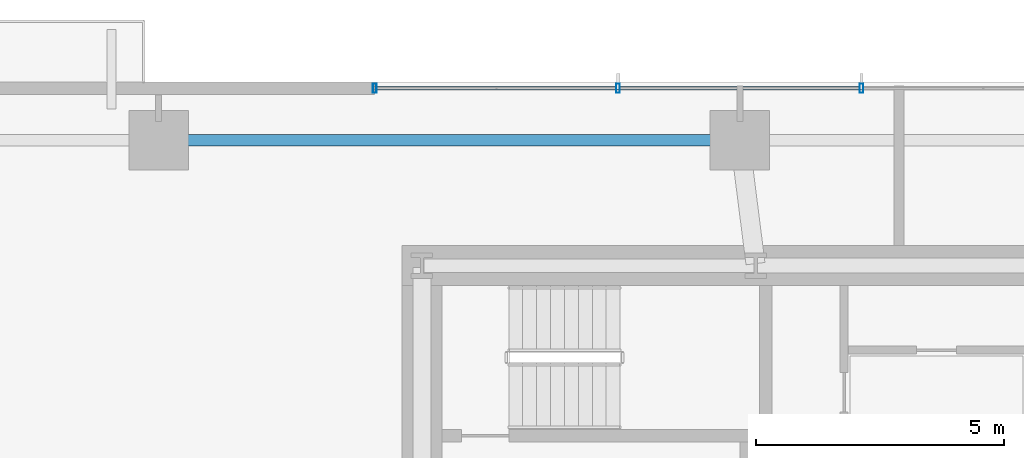
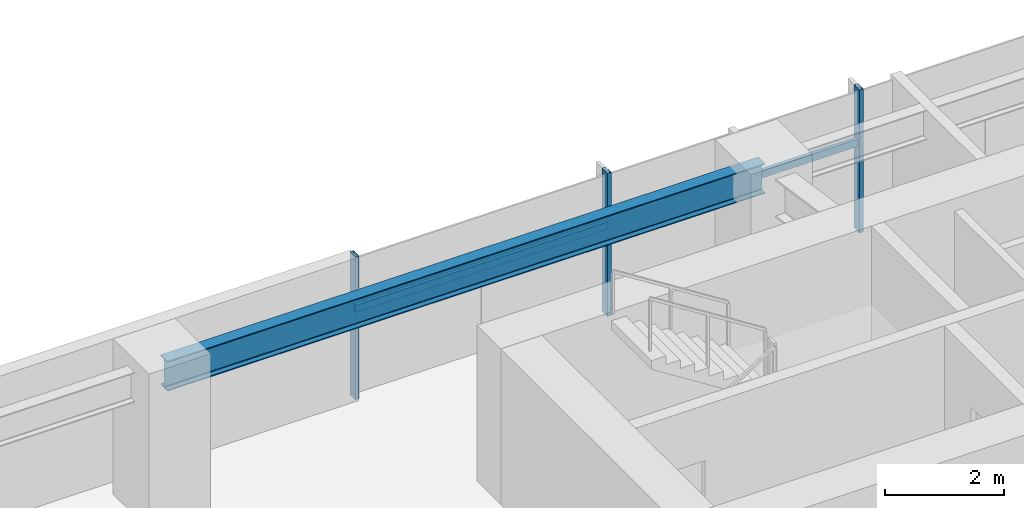
# One storey, part 10 of 25: 5 members, 1 beam, 1 element without a shape of its own.
"""IFC4 building model written with IfcOpenShell, lengths in metres."""

from ifc_helpers import new_model, si_unit, direction, frame, origin, origin_2d, place, context, subcontext, project, spatial, hollow_rectangle, i_section, extrude, source, transform, mapped, material, material_profile, profile_set, type_object, type_shapes, element, aggregate, save


model = new_model("IFC4")

# Units and contexts
model_context = context("Model", 3, precision=1e-05, world=origin(), true_north=direction((0.0, 1.0)))
body_context = subcontext(model_context, "Body", "Model", "MODEL_VIEW")
ifc_project = project(units=[si_unit("LENGTHUNIT", "METRE"), si_unit("AREAUNIT", "SQUARE_METRE"), si_unit("VOLUMEUNIT", "CUBIC_METRE"), si_unit("PLANEANGLEUNIT", "RADIAN"), si_unit("MASSUNIT", "GRAM", prefix="KILO")], contexts=[model_context])

# Site, building, storey
site_placement = place(None, origin())
site = spatial("IfcSite", under=ifc_project, at=site_placement, CompositionType="ELEMENT")
building_placement = place(site_placement, origin())
building = spatial("IfcBuilding", under=site, at=building_placement, Name="Astriad Promenade Condominiums", CompositionType="ELEMENT")
storey_placement = place(building_placement, frame((0.0, 0.0, 61.39990234375)))
storey = spatial("IfcBuildingStorey", under=building, at=storey_placement, Name="L17", CompositionType="ELEMENT", Elevation=61.39990234375)

# Beam
ifc_material_1 = material(Name="Steel ASTM A992 Grade 50", Category="steel")
ifc_material_profile_1 = material_profile(ifc_material_1, i_section(OverallWidth=0.22900390625, OverallDepth=0.612060546875, WebThickness=0.011962890625, FlangeThickness=0.01953125, FilletRadius=0.017822265625, at=origin_2d()), Name="W24X84")
ifc_profile_set_1 = profile_set([ifc_material_profile_1], Name="Steel ASTM A992 Grade 50")
beam_type = type_object("IfcBeamType", Name="STEEL SPANDREL BEAM W24X84", PredefinedType="SPANDREL", material=ifc_profile_set_1)
shared_shape_1 = source(origin(), body_context, "Body", "SweptSolid", [
    extrude(i_section(OverallWidth=0.22900390625, OverallDepth=0.612060546875, WebThickness=0.011962890625, FlangeThickness=0.01953125, FilletRadius=0.017822265625, at=origin_2d()), origin(), (0.0, 0.0, 1.0), 11.6201171875),
])
type_shapes(beam_type, [shared_shape_1])
beam_placement = place(storey_placement, frame((32.760009765625, 26.52001953125, 2.634033203125), z_axis=(-1.0, 0.0, 0.0), x_axis=(0.0, -1.0, 0.0)))
element("IfcBeam", 1, at=beam_placement, inside=storey, type_object=beam_type, Name="Perimeter Spandrel Beam SP-N2-L17", PredefinedType="SPANDREL", context=body_context, shape_type="MappedRepresentation", body=[
    mapped(shared_shape_1, transform((0.0, 0.0, 0.0), scale=1.0)),
])

# Curtain wall, members
ifc_material_2 = material(Name="Anodised aluminium Black Dark Glass Unitised", Category="aluminium")
curtain_wall_type = type_object("IfcCurtainWallType", Name="CW-B1-DARK", PredefinedType="USERDEFINED", material=ifc_material_2)
curtain_wall_placement = place(storey_placement, origin())
curtain_wall = element("IfcCurtainWall", 2, at=curtain_wall_placement, inside=storey, type_object=curtain_wall_type, Name="CW-L17-N", ObjectType="UNITISED_CURTAIN_WALL", PredefinedType="USERDEFINED")
ifc_material_3 = material(Name="Anodised aluminium 6063-T6 Black", Category="aluminium")
ifc_material_profile_2 = material_profile(ifc_material_3, hollow_rectangle(XDim=0.074951171875, YDim=0.14990234375, WallThickness=0.004150390625, at=origin_2d()), Name="ALU-TRN-75X150")
ifc_profile_set_2 = profile_set([ifc_material_profile_2], Name="Anodised aluminium 6063-T6 Black")
member_type_1 = type_object("IfcMemberType", Name="TRN-ALU-TRN-75X150", PredefinedType="USERDEFINED", material=ifc_profile_set_2)
shared_shape_2 = source(origin(), body_context, "Body", "SweptSolid", [
    extrude(hollow_rectangle(XDim=0.074951171875, YDim=0.14990234375, WallThickness=0.004150390625, at=origin_2d()), origin(), (0.0, 0.0, 1.0), 4.900146484375),
])
member_1_placement = place(storey_placement, frame((25.449951171875, 27.570068359375, 1.822998046875), z_axis=(1.0, 0.0, 0.0), x_axis=(0.0, 1.0, 0.0)))
member_1 = element("IfcMember", 3, at=member_1_placement, type_object=member_type_1, Name="CW-L17-N-TRN-00-0", ObjectType="TRANSOM", PredefinedType="USERDEFINED", context=body_context, shape_type="MappedRepresentation", body=[
    mapped(shared_shape_2, transform((0.0, 0.0, 0.0), scale=1.0)),
])
shared_shape_3 = source(origin(), body_context, "Body", "SweptSolid", [
    extrude(hollow_rectangle(XDim=0.074951171875, YDim=0.14990234375, WallThickness=0.004150390625, at=origin_2d()), origin(), (0.0, 0.0, 1.0), 4.89990234375),
])
type_shapes(member_type_1, [shared_shape_2, shared_shape_3])
member_2_placement = place(storey_placement, frame((30.35009765625, 27.570068359375, 1.822998046875), z_axis=(1.0, 0.0, 0.0), x_axis=(0.0, 1.0, 0.0)))
member_2 = element("IfcMember", 4, at=member_2_placement, type_object=member_type_1, Name="CW-L17-N-TRN-01-0", ObjectType="TRANSOM", PredefinedType="USERDEFINED", context=body_context, shape_type="MappedRepresentation", body=[
    mapped(shared_shape_3, transform((0.0, 0.0, 0.0), scale=1.0)),
])
ifc_material_profile_3 = material_profile(ifc_material_3, hollow_rectangle(XDim=0.074951171875, YDim=0.18505859375, WallThickness=0.00439453125, at=origin_2d()), Name="ALU-MUL-75X185")
ifc_profile_set_3 = profile_set([ifc_material_profile_3], Name="Anodised aluminium 6063-T6 Black")
member_type_2 = type_object("IfcMemberType", Name="MUL-ALU-MUL-75X185", PredefinedType="MULLION", material=ifc_profile_set_3)
shared_shape_4 = source(origin(), body_context, "Body", "SweptSolid", [
    extrude(hollow_rectangle(XDim=0.074951171875, YDim=0.18505859375, WallThickness=0.00439453125, at=origin_2d()), origin(), (0.0, 0.0, 1.0), 2.940185546875),
])
type_shapes(member_type_2, [shared_shape_4])
member_3_placement = place(storey_placement, frame((25.449951171875, 27.570068359375, 0.0), z_axis=(0.0, 0.0, 1.0), x_axis=(1.0, 0.0, 0.0)))
member_3 = element("IfcMember", 5, at=member_3_placement, type_object=member_type_2, Name="CW-L17-N-MUL-00", PredefinedType="MULLION", context=body_context, shape_type="MappedRepresentation", body=[
    mapped(shared_shape_4, transform((0.0, 0.0, 0.0), scale=1.0)),
])
member_4_placement = place(storey_placement, frame((30.35009765625, 27.570068359375, 0.0), z_axis=(0.0, 0.0, 1.0), x_axis=(1.0, 0.0, 0.0)))
member_4 = element("IfcMember", 6, at=member_4_placement, type_object=member_type_2, Name="CW-L17-N-MUL-01", PredefinedType="MULLION", context=body_context, shape_type="MappedRepresentation", body=[
    mapped(shared_shape_4, transform((0.0, 0.0, 0.0), scale=1.0)),
])
member_5_placement = place(storey_placement, frame((35.25, 27.570068359375, 0.0), z_axis=(0.0, 0.0, 1.0), x_axis=(1.0, 0.0, 0.0)))
member_5 = element("IfcMember", 7, at=member_5_placement, type_object=member_type_2, Name="CW-L17-N-MUL-02", PredefinedType="MULLION", context=body_context, shape_type="MappedRepresentation", body=[
    mapped(shared_shape_4, transform((0.0, 0.0, 0.0), scale=1.0)),
])
aggregate(curtain_wall, [member_3, member_4, member_5, member_1, member_2])

save(model, "model.ifc")
